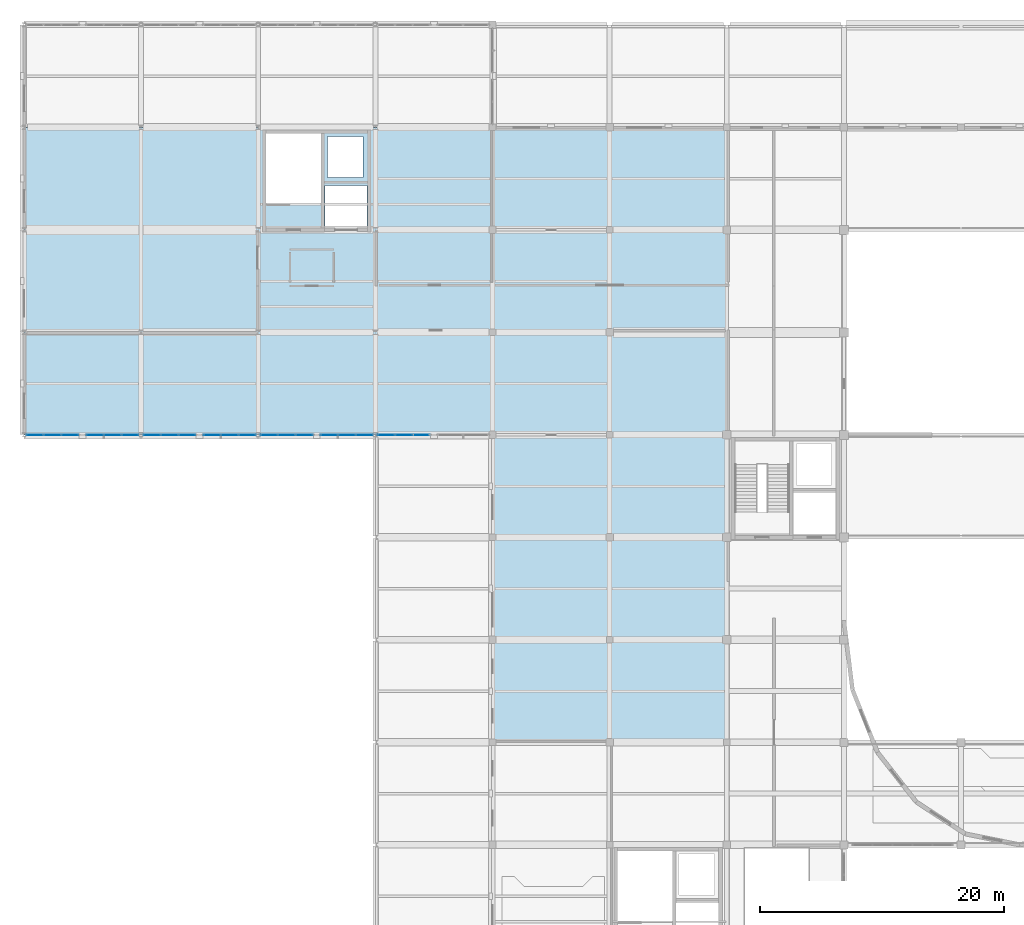
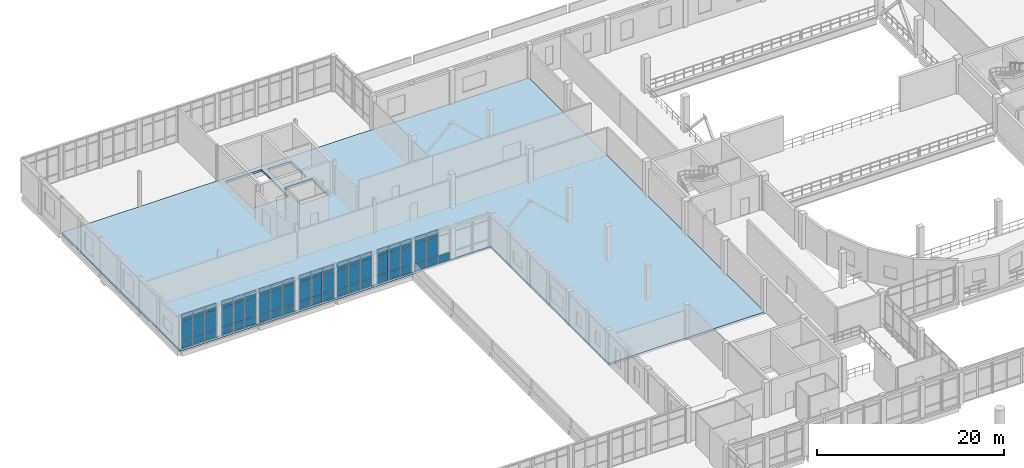
# One storey, part 67 of 88: 61 plates, 1 slab, 7 elements without a shape of their own.
"""IFC4 building model written with IfcOpenShell, lengths in metres."""

import ifcopenshell
import ifcopenshell.guid

model = None  # the IFC model being written
_history = None  # IfcOwnerHistory: only IFC2X3 demands one
_inside = {}  # id of a spatial element -> (the spatial element, [elements in it])
_under = {}  # id of a project, library or spatial element -> (it, [spatial elements below it])
_declared = {}  # id of a project -> (the project, [libraries it declares])
_typed = {}  # id of a type object -> (the type object, [elements of that type])
_made_of = {}  # id of a material, layer set ... -> (it, [elements and type objects made of it])


def new_model(schema):
    """Start an empty IFC model of exactly this schema.

    Asked for "IFC4X3", IfcOpenShell would pick the latest addendum, in which some entities
    have other attributes; the version numbers below select the first issue.
    IFC2X3 requires an IfcOwnerHistory on every rooted entity: one is made here for all.
    """
    global model, _history
    if schema == "IFC4X3":
        model = ifcopenshell.file(schema_version=(4, 3, 0, 0))
    else:
        model = ifcopenshell.file(schema=schema)
    _inside.clear()
    _under.clear()
    _declared.clear()
    _typed.clear()
    _made_of.clear()
    _history = None
    if model.schema == "IFC2X3":
        org = make("IfcOrganization", Name="unknown")
        user = make(
            "IfcPersonAndOrganization",
            ThePerson=make("IfcPerson", FamilyName="unknown"),
            TheOrganization=org,
        )
        app = make(
            "IfcApplication",
            ApplicationDeveloper=org,
            Version="unknown",
            ApplicationFullName="unknown",
            ApplicationIdentifier="unknown",
        )
        _history = make(
            "IfcOwnerHistory",
            OwningUser=user,
            OwningApplication=app,
            ChangeAction="ADDED",
            CreationDate=0,
        )
    return model


def make(cls, **values):
    """One entity of the class cls with the attributes given. An attribute that is None is left unset."""
    return model.create_entity(
        cls, **{name: value for name, value in values.items() if value is not None}
    )


def rooted(cls, **values):
    """An entity with a GlobalId (a new one), such as an element, a storey or a relation."""
    return make(cls, GlobalId=ifcopenshell.guid.new(), OwnerHistory=_history, **values)


def si_unit(unit_type, name, prefix=None):
    """IfcSIUnit, for example si_unit("LENGTHUNIT", "METRE", prefix="MILLI")."""
    return make("IfcSIUnit", UnitType=unit_type, Prefix=prefix, Name=name)


def assignment(units):
    """IfcUnitAssignment: the units of a project."""
    return None if units is None else make("IfcUnitAssignment", Units=units)


def point(xyz):
    """IfcCartesianPoint."""
    return None if xyz is None else make("IfcCartesianPoint", Coordinates=xyz)


def direction(xyz):
    """IfcDirection."""
    return None if xyz is None else make("IfcDirection", DirectionRatios=xyz)


def frame(location, z_axis=None, x_axis=None):
    """IfcAxis2Placement3D, a coordinate frame: its origin and axes. An axis left out is left unset."""
    return make(
        "IfcAxis2Placement3D",
        Location=point(location),
        Axis=direction(z_axis),
        RefDirection=direction(x_axis),
    )


def frame_2d(location, x_axis=None):
    """IfcAxis2Placement2D, a coordinate frame in the plane: its origin and x axis."""
    return make(
        "IfcAxis2Placement2D", Location=point(location), RefDirection=direction(x_axis)
    )


def origin():
    """The frame at (0, 0, 0) with its axes left unset."""
    return frame((0.0, 0.0, 0.0))


def origin_2d():
    """The frame at (0, 0) in the plane with its x axis left unset."""
    return frame_2d((0.0, 0.0))


def place(relative_to, where):
    """IfcLocalPlacement: puts the frame where relative to a parent placement (None: the world)."""
    return make(
        "IfcLocalPlacement", PlacementRelTo=relative_to, RelativePlacement=where
    )


def context(
    kind, dimensions, precision=None, world=None, true_north=None, identifier=None
):
    """IfcGeometricRepresentationContext, for example the 3D "Model" context."""
    return make(
        "IfcGeometricRepresentationContext",
        ContextIdentifier=identifier,
        ContextType=kind,
        CoordinateSpaceDimension=dimensions,
        Precision=precision,
        WorldCoordinateSystem=world,
        TrueNorth=true_north,
    )


def subcontext(parent, identifier, kind, view, scale=None):
    """IfcGeometricRepresentationSubContext, for example "Body" below "Model"."""
    return make(
        "IfcGeometricRepresentationSubContext",
        ContextIdentifier=identifier,
        ContextType=kind,
        ParentContext=parent,
        TargetScale=scale,
        TargetView=view,
    )


def project(units=None, contexts=None):
    """IfcProject with its units and contexts."""
    return rooted(
        "IfcProject",
        Name="project",
        RepresentationContexts=contexts,
        UnitsInContext=assignment(units),
    )


def spatial(cls, under=None, at=None, **own):
    """A site, building, storey or space (cls), placed at a placement, below another one or the project."""
    s = rooted(cls, ObjectPlacement=at, **own)
    if under is not None:
        _under.setdefault(under.id(), (under, []))[1].append(s)
    return s


def polyline(points):
    """IfcPolyline through the points."""
    return make("IfcPolyline", Points=[point(p) for p in points])


def profile(cls, at=None, kind="AREA", **sizes):
    """A parametric profile (cls). Its sizes go by their IFC names, for example OverallWidth=200.0."""
    return make(cls, ProfileType=kind, Position=at, **sizes)


def rectangle(**sizes):
    """IfcRectangleProfileDef."""
    return profile("IfcRectangleProfileDef", **sizes)


def outline(outer, holes=None, kind="AREA"):
    """IfcArbitraryClosedProfileDef: a profile drawn as a closed curve; with holes, ...WithVoids."""
    if holes is None:
        return make("IfcArbitraryClosedProfileDef", ProfileType=kind, OuterCurve=outer)
    return make(
        "IfcArbitraryProfileDefWithVoids",
        ProfileType=kind,
        OuterCurve=outer,
        InnerCurves=holes,
    )


def extrude(swept, where, along, depth):
    """IfcExtrudedAreaSolid: the profile swept, set in the frame where, extruded along a direction by depth."""
    return make(
        "IfcExtrudedAreaSolid",
        SweptArea=swept,
        Position=where,
        ExtrudedDirection=direction(along),
        Depth=depth,
    )


def shape(context_of_items, identifier, shape_type, items):
    """IfcShapeRepresentation: the items that make up one representation, for example the "Body"."""
    return make(
        "IfcShapeRepresentation",
        ContextOfItems=context_of_items,
        RepresentationIdentifier=identifier,
        RepresentationType=shape_type,
        Items=items,
    )


def material(Name=None, Category=None):
    """IfcMaterial."""
    return make("IfcMaterial", Name=Name, Category=Category)


def layer(
    of_material, thickness, ventilated=None, Name=None, Category=None, Priority=None
):
    """IfcMaterialLayer: one layer of a wall or slab, of a material (None: an air gap)."""
    return make(
        "IfcMaterialLayer",
        Material=of_material,
        LayerThickness=thickness,
        IsVentilated=ventilated,
        Name=Name,
        Category=Category,
        Priority=Priority,
    )


def layer_set(layers, Name=None):
    """IfcMaterialLayerSet."""
    return make("IfcMaterialLayerSet", MaterialLayers=layers, LayerSetName=Name)


def made_of(thing, what):
    """Note that an element or type object is made of a material, layer set ...; save() writes the relation."""
    if what is not None:
        _made_of.setdefault(what.id(), (what, []))[1].append(thing)
    return thing


def type_object(cls, material=None, **own):
    """A type object (cls), such as IfcWallType, which elements share."""
    return made_of(rooted(cls, **own), material)


def element(
    cls,
    number,
    at=None,
    inside=None,
    cuts=None,
    type_object=None,
    material=None,
    context=None,
    identifier="Body",
    shape_type=None,
    held_by="IfcProductDefinitionShape",
    body=None,
    shapes=None,
    **own,
):
    """One element of the class cls, such as IfcWall. Its Tag is "e" and its number.

    at: its placement. inside: the storey or other place that contains it. cuts: it is an
    opening in that element (IfcRelVoidsElement). A single representation is given by context,
    identifier, shape_type and body (its items); several are given by shapes. held_by: the class
    of the entity that holds the representations. save() writes the other relations.
    """
    e = rooted(cls, Tag="e%d" % number, ObjectPlacement=at, **own)
    if body is not None:
        shapes = [shape(context, identifier, shape_type, body)]
    if shapes is not None:
        e.Representation = make(held_by, Representations=shapes)
    if inside is not None:
        _inside.setdefault(inside.id(), (inside, []))[1].append(e)
    if cuts is not None:
        rooted(
            "IfcRelVoidsElement", RelatingBuildingElement=cuts, RelatedOpeningElement=e
        )
    if type_object is not None:
        _typed.setdefault(type_object.id(), (type_object, []))[1].append(e)
    return made_of(e, material)


def aggregate(whole, parts):
    """IfcRelAggregates: a whole, such as a stair, and the parts it consists of."""
    return rooted("IfcRelAggregates", RelatingObject=whole, RelatedObjects=parts)


def save(model, path):
    """Write the relations noted so far, then the file.

    IfcRelAggregates (storeys below a building ...), IfcRelContainedInSpatialStructure (elements
    in a storey), IfcRelDefinesByType, IfcRelAssociatesMaterial and IfcRelDeclares: one each for
    every whole, place, type object, material and project.
    """
    for whole, parts in _under.values():
        aggregate(whole, parts)
    for where, things in _inside.values():
        rooted(
            "IfcRelContainedInSpatialStructure",
            RelatedElements=things,
            RelatingStructure=where,
        )
    for kind, things in _typed.values():
        rooted("IfcRelDefinesByType", RelatedObjects=things, RelatingType=kind)
    for what, things in _made_of.values():
        rooted("IfcRelAssociatesMaterial", RelatedObjects=things, RelatingMaterial=what)
    for by, libraries in _declared.values():
        rooted("IfcRelDeclares", RelatingContext=by, RelatedDefinitions=libraries)
    model.write(path)


model = new_model("IFC4")

# Units and contexts
model_context = context("Model", 3, precision=1e-05, world=origin(), true_north=direction((0.0, 1.0)))
body_context = subcontext(model_context, "Body", "Model", "MODEL_VIEW")
ifc_project = project(units=[si_unit("LENGTHUNIT", "METRE"), si_unit("AREAUNIT", "SQUARE_METRE"), si_unit("VOLUMEUNIT", "CUBIC_METRE"), si_unit("PLANEANGLEUNIT", "RADIAN"), si_unit("MASSUNIT", "GRAM", prefix="KILO")], contexts=[model_context])

# Site, building, storey
site_placement = place(None, origin())
site = spatial("IfcSite", under=ifc_project, at=site_placement, CompositionType="ELEMENT")
building_placement = place(site_placement, origin())
building = spatial("IfcBuilding", under=site, at=building_placement, Name="Lornevale Opera House", CompositionType="ELEMENT")
storey_placement = place(building_placement, frame((0.0, 0.0, 10.199951171875)))
storey = spatial("IfcBuildingStorey", under=building, at=storey_placement, Name="L03", CompositionType="ELEMENT", Elevation=10.199951171875)

# Curtain wall, plates
ifc_material_1 = material(Name="Anodized Oxide-Green Aluminium Framing", Category="aluminium")
ifc_layer_1 = layer(ifc_material_1, 0.175048828125)
ifc_layer_set_1 = layer_set([ifc_layer_1], Name="Anodized Oxide-Green Aluminium Framing")
curtain_wall_type = type_object("IfcCurtainWallType", Name="Chamber Cloister Curtain Wall M1700", PredefinedType="NOTDEFINED", material=ifc_layer_set_1)
curtain_wall_1_placement = place(storey_placement, origin())
curtain_wall_1 = element("IfcCurtainWall", 1, at=curtain_wall_1_placement, inside=storey, type_object=curtain_wall_type, Name="Chamber Cloister Curtain Wall M1700 CW-096", PredefinedType="NOTDEFINED")
ifc_material_2 = material(Name="Triple Low-E Insulated Glazing", Category="glass")
ifc_layer_2 = layer(ifc_material_2, 0.0419921875)
ifc_layer_set_2 = layer_set([ifc_layer_2], Name="Triple Low-E Insulated Glazing")
plate_type = type_object("IfcPlateType", Name="Ceramic Fritted Bird-Safe Panel 42", PredefinedType="CURTAIN_PANEL", material=ifc_layer_set_2)
plate_1_placement = place(storey_placement, frame((8.705078125, 67.199951171875, 0.06494140625), z_axis=(0.0, 0.0, 1.0), x_axis=(-1.0, 0.0, 0.0)))
plate_1 = element("IfcPlate", 2, at=plate_1_placement, type_object=plate_type, Name="Ceramic Fritted Bird-Safe Panel 42 CW1928", PredefinedType="CURTAIN_PANEL", context=body_context, shape_type="SweptSolid", body=[
    extrude(rectangle(XDim=1.35888671875, YDim=0.0419921875, at=origin_2d()), origin(), (0.0, 0.0, 1.0), 0.952392578125),
])
plate_2_placement = place(storey_placement, frame((8.705078125, 67.199951171875, 1.08251953125), z_axis=(0.0, 0.0, 1.0), x_axis=(-1.0, 0.0, 0.0)))
plate_2 = element("IfcPlate", 3, at=plate_2_placement, type_object=plate_type, Name="Ceramic Fritted Bird-Safe Panel 42 CW1929", PredefinedType="CURTAIN_PANEL", context=body_context, shape_type="SweptSolid", body=[
    extrude(rectangle(XDim=1.35888671875, YDim=0.0419921875, at=origin_2d()), origin(), (0.0, 0.0, 1.0), 2.47509765625),
])
plate_3_placement = place(storey_placement, frame((8.705078125, 67.199951171875, 3.62255859375), z_axis=(0.0, 0.0, 1.0), x_axis=(-1.0, 0.0, 0.0)))
plate_3 = element("IfcPlate", 4, at=plate_3_placement, type_object=plate_type, Name="Ceramic Fritted Bird-Safe Panel 42 CW1930", PredefinedType="CURTAIN_PANEL", context=body_context, shape_type="SweptSolid", body=[
    extrude(rectangle(XDim=1.35888671875, YDim=0.0419921875, at=origin_2d()), origin(), (0.0, 0.0, 1.0), 0.8525390625),
])
plate_4_placement = place(storey_placement, frame((7.264892578125, 67.199951171875, 0.06494140625), z_axis=(0.0, 0.0, 1.0), x_axis=(-1.0, 0.0, 0.0)))
plate_4 = element("IfcPlate", 5, at=plate_4_placement, type_object=plate_type, Name="Ceramic Fritted Bird-Safe Panel 42 CW1935", PredefinedType="CURTAIN_PANEL", context=body_context, shape_type="SweptSolid", body=[
    extrude(rectangle(XDim=1.3916015625, YDim=0.0419921875, at=origin_2d()), origin(), (0.0, 0.0, 1.0), 0.952392578125),
])
plate_5_placement = place(storey_placement, frame((7.264892578125, 67.199951171875, 1.08251953125), z_axis=(0.0, 0.0, 1.0), x_axis=(-1.0, 0.0, 0.0)))
plate_5 = element("IfcPlate", 6, at=plate_5_placement, type_object=plate_type, Name="Ceramic Fritted Bird-Safe Panel 42 CW1936", PredefinedType="CURTAIN_PANEL", context=body_context, shape_type="SweptSolid", body=[
    extrude(rectangle(XDim=1.3916015625, YDim=0.0419921875, at=origin_2d()), origin(), (0.0, 0.0, 1.0), 2.47509765625),
])
plate_6_placement = place(storey_placement, frame((7.264892578125, 67.199951171875, 3.62255859375), z_axis=(0.0, 0.0, 1.0), x_axis=(-1.0, 0.0, 0.0)))
plate_6 = element("IfcPlate", 7, at=plate_6_placement, type_object=plate_type, Name="Ceramic Fritted Bird-Safe Panel 42 CW1937", PredefinedType="CURTAIN_PANEL", context=body_context, shape_type="SweptSolid", body=[
    extrude(rectangle(XDim=1.3916015625, YDim=0.0419921875, at=origin_2d()), origin(), (0.0, 0.0, 1.0), 0.8525390625),
])
plate_7_placement = place(storey_placement, frame((5.824462890625, 67.199951171875, 0.06494140625), z_axis=(0.0, 0.0, 1.0), x_axis=(-1.0, 0.0, 0.0)))
plate_7 = element("IfcPlate", 8, at=plate_7_placement, type_object=plate_type, Name="Ceramic Fritted Bird-Safe Panel 42 CW1942", PredefinedType="CURTAIN_PANEL", context=body_context, shape_type="SweptSolid", body=[
    extrude(rectangle(XDim=1.35888671875, YDim=0.0419921875, at=origin_2d()), origin(), (0.0, 0.0, 1.0), 0.952392578125),
])
plate_8_placement = place(storey_placement, frame((5.824462890625, 67.199951171875, 1.08251953125), z_axis=(0.0, 0.0, 1.0), x_axis=(-1.0, 0.0, 0.0)))
plate_8 = element("IfcPlate", 9, at=plate_8_placement, type_object=plate_type, Name="Ceramic Fritted Bird-Safe Panel 42 CW1943", PredefinedType="CURTAIN_PANEL", context=body_context, shape_type="SweptSolid", body=[
    extrude(rectangle(XDim=1.35888671875, YDim=0.0419921875, at=origin_2d()), origin(), (0.0, 0.0, 1.0), 2.47509765625),
])
plate_9_placement = place(storey_placement, frame((5.824462890625, 67.199951171875, 3.62255859375), z_axis=(0.0, 0.0, 1.0), x_axis=(-1.0, 0.0, 0.0)))
plate_9 = element("IfcPlate", 10, at=plate_9_placement, type_object=plate_type, Name="Ceramic Fritted Bird-Safe Panel 42 CW1944", PredefinedType="CURTAIN_PANEL", context=body_context, shape_type="SweptSolid", body=[
    extrude(rectangle(XDim=1.35888671875, YDim=0.0419921875, at=origin_2d()), origin(), (0.0, 0.0, 1.0), 0.8525390625),
])
aggregate(curtain_wall_1, [plate_1, plate_2, plate_3, plate_4, plate_5, plate_6, plate_7, plate_8, plate_9])

curtain_wall_2_placement = place(storey_placement, origin())
curtain_wall_2 = element("IfcCurtainWall", 11, at=curtain_wall_2_placement, inside=storey, type_object=curtain_wall_type, Name="Chamber Cloister Curtain Wall M1700 CW-097", PredefinedType="NOTDEFINED")
plate_10_placement = place(storey_placement, frame((3.775390625, 67.199951171875, 0.06494140625), z_axis=(0.0, 0.0, 1.0), x_axis=(-1.0, 0.0, 0.0)))
plate_10 = element("IfcPlate", 12, at=plate_10_placement, type_object=plate_type, Name="Ceramic Fritted Bird-Safe Panel 42 CW1953", PredefinedType="CURTAIN_PANEL", context=body_context, shape_type="SweptSolid", body=[
    extrude(rectangle(XDim=1.35888671875, YDim=0.0419921875, at=origin_2d()), origin(), (0.0, 0.0, 1.0), 0.952392578125),
])
plate_11_placement = place(storey_placement, frame((3.775390625, 67.199951171875, 1.08251953125), z_axis=(0.0, 0.0, 1.0), x_axis=(-1.0, 0.0, 0.0)))
plate_11 = element("IfcPlate", 13, at=plate_11_placement, type_object=plate_type, Name="Ceramic Fritted Bird-Safe Panel 42 CW1954", PredefinedType="CURTAIN_PANEL", context=body_context, shape_type="SweptSolid", body=[
    extrude(rectangle(XDim=1.35888671875, YDim=0.0419921875, at=origin_2d()), origin(), (0.0, 0.0, 1.0), 2.47509765625),
])
plate_12_placement = place(storey_placement, frame((3.775390625, 67.199951171875, 3.62255859375), z_axis=(0.0, 0.0, 1.0), x_axis=(-1.0, 0.0, 0.0)))
plate_12 = element("IfcPlate", 14, at=plate_12_placement, type_object=plate_type, Name="Ceramic Fritted Bird-Safe Panel 42 CW1955", PredefinedType="CURTAIN_PANEL", context=body_context, shape_type="SweptSolid", body=[
    extrude(rectangle(XDim=1.35888671875, YDim=0.0419921875, at=origin_2d()), origin(), (0.0, 0.0, 1.0), 0.8525390625),
])
plate_13_placement = place(storey_placement, frame((2.335205078125, 67.199951171875, 0.06494140625), z_axis=(0.0, 0.0, 1.0), x_axis=(-1.0, 0.0, 0.0)))
plate_13 = element("IfcPlate", 15, at=plate_13_placement, type_object=plate_type, Name="Ceramic Fritted Bird-Safe Panel 42 CW1960", PredefinedType="CURTAIN_PANEL", context=body_context, shape_type="SweptSolid", body=[
    extrude(rectangle(XDim=1.3916015625, YDim=0.0419921875, at=origin_2d()), origin(), (0.0, 0.0, 1.0), 0.952392578125),
])
plate_14_placement = place(storey_placement, frame((2.335205078125, 67.199951171875, 1.08251953125), z_axis=(0.0, 0.0, 1.0), x_axis=(-1.0, 0.0, 0.0)))
plate_14 = element("IfcPlate", 16, at=plate_14_placement, type_object=plate_type, Name="Ceramic Fritted Bird-Safe Panel 42 CW1961", PredefinedType="CURTAIN_PANEL", context=body_context, shape_type="SweptSolid", body=[
    extrude(rectangle(XDim=1.3916015625, YDim=0.0419921875, at=origin_2d()), origin(), (0.0, 0.0, 1.0), 2.47509765625),
])
plate_15_placement = place(storey_placement, frame((2.335205078125, 67.199951171875, 3.62255859375), z_axis=(0.0, 0.0, 1.0), x_axis=(-1.0, 0.0, 0.0)))
plate_15 = element("IfcPlate", 17, at=plate_15_placement, type_object=plate_type, Name="Ceramic Fritted Bird-Safe Panel 42 CW1962", PredefinedType="CURTAIN_PANEL", context=body_context, shape_type="SweptSolid", body=[
    extrude(rectangle(XDim=1.3916015625, YDim=0.0419921875, at=origin_2d()), origin(), (0.0, 0.0, 1.0), 0.8525390625),
])
plate_16_placement = place(storey_placement, frame((0.89501953125, 67.199951171875, 0.06494140625), z_axis=(0.0, 0.0, 1.0), x_axis=(-1.0, 0.0, 0.0)))
plate_16 = element("IfcPlate", 18, at=plate_16_placement, type_object=plate_type, Name="Ceramic Fritted Bird-Safe Panel 42 CW1967", PredefinedType="CURTAIN_PANEL", context=body_context, shape_type="SweptSolid", body=[
    extrude(rectangle(XDim=1.35888671875, YDim=0.0419921875, at=origin_2d()), origin(), (0.0, 0.0, 1.0), 0.952392578125),
])
plate_17_placement = place(storey_placement, frame((0.89501953125, 67.199951171875, 1.08251953125), z_axis=(0.0, 0.0, 1.0), x_axis=(-1.0, 0.0, 0.0)))
plate_17 = element("IfcPlate", 19, at=plate_17_placement, type_object=plate_type, Name="Ceramic Fritted Bird-Safe Panel 42 CW1968", PredefinedType="CURTAIN_PANEL", context=body_context, shape_type="SweptSolid", body=[
    extrude(rectangle(XDim=1.35888671875, YDim=0.0419921875, at=origin_2d()), origin(), (0.0, 0.0, 1.0), 2.47509765625),
])
plate_18_placement = place(storey_placement, frame((0.89501953125, 67.199951171875, 3.62255859375), z_axis=(0.0, 0.0, 1.0), x_axis=(-1.0, 0.0, 0.0)))
plate_18 = element("IfcPlate", 20, at=plate_18_placement, type_object=plate_type, Name="Ceramic Fritted Bird-Safe Panel 42 CW1969", PredefinedType="CURTAIN_PANEL", context=body_context, shape_type="SweptSolid", body=[
    extrude(rectangle(XDim=1.35888671875, YDim=0.0419921875, at=origin_2d()), origin(), (0.0, 0.0, 1.0), 0.8525390625),
])
aggregate(curtain_wall_2, [plate_10, plate_11, plate_12, plate_13, plate_14, plate_15, plate_16, plate_17, plate_18])

curtain_wall_3_placement = place(storey_placement, origin())
curtain_wall_3 = element("IfcCurtainWall", 21, at=curtain_wall_3_placement, inside=storey, type_object=curtain_wall_type, Name="Chamber Cloister Curtain Wall M1700 CW-104", PredefinedType="NOTDEFINED")
plate_19_placement = place(storey_placement, frame((18.304931640625, 67.199951171875, 0.06494140625), z_axis=(0.0, 0.0, 1.0), x_axis=(-1.0, 0.0, 0.0)))
plate_19 = element("IfcPlate", 22, at=plate_19_placement, type_object=plate_type, Name="Ceramic Fritted Bird-Safe Panel 42 CW2128", PredefinedType="CURTAIN_PANEL", context=body_context, shape_type="SweptSolid", body=[
    extrude(rectangle(XDim=1.35888671875, YDim=0.0419921875, at=origin_2d()), origin(), (0.0, 0.0, 1.0), 0.952392578125),
])
plate_20_placement = place(storey_placement, frame((18.304931640625, 67.199951171875, 1.08251953125), z_axis=(0.0, 0.0, 1.0), x_axis=(-1.0, 0.0, 0.0)))
plate_20 = element("IfcPlate", 23, at=plate_20_placement, type_object=plate_type, Name="Ceramic Fritted Bird-Safe Panel 42 CW2129", PredefinedType="CURTAIN_PANEL", context=body_context, shape_type="SweptSolid", body=[
    extrude(rectangle(XDim=1.35888671875, YDim=0.0419921875, at=origin_2d()), origin(), (0.0, 0.0, 1.0), 2.47509765625),
])
plate_21_placement = place(storey_placement, frame((18.304931640625, 67.199951171875, 3.62255859375), z_axis=(0.0, 0.0, 1.0), x_axis=(-1.0, 0.0, 0.0)))
plate_21 = element("IfcPlate", 24, at=plate_21_placement, type_object=plate_type, Name="Ceramic Fritted Bird-Safe Panel 42 CW2130", PredefinedType="CURTAIN_PANEL", context=body_context, shape_type="SweptSolid", body=[
    extrude(rectangle(XDim=1.35888671875, YDim=0.0419921875, at=origin_2d()), origin(), (0.0, 0.0, 1.0), 0.8525390625),
])
plate_22_placement = place(storey_placement, frame((16.86474609375, 67.199951171875, 0.06494140625), z_axis=(0.0, 0.0, 1.0), x_axis=(-1.0, 0.0, 0.0)))
plate_22 = element("IfcPlate", 25, at=plate_22_placement, type_object=plate_type, Name="Ceramic Fritted Bird-Safe Panel 42 CW2135", PredefinedType="CURTAIN_PANEL", context=body_context, shape_type="SweptSolid", body=[
    extrude(rectangle(XDim=1.3916015625, YDim=0.0419921875, at=origin_2d()), origin(), (0.0, 0.0, 1.0), 0.952392578125),
])
plate_23_placement = place(storey_placement, frame((16.86474609375, 67.199951171875, 1.08251953125), z_axis=(0.0, 0.0, 1.0), x_axis=(-1.0, 0.0, 0.0)))
plate_23 = element("IfcPlate", 26, at=plate_23_placement, type_object=plate_type, Name="Ceramic Fritted Bird-Safe Panel 42 CW2136", PredefinedType="CURTAIN_PANEL", context=body_context, shape_type="SweptSolid", body=[
    extrude(rectangle(XDim=1.3916015625, YDim=0.0419921875, at=origin_2d()), origin(), (0.0, 0.0, 1.0), 2.47509765625),
])
plate_24_placement = place(storey_placement, frame((16.86474609375, 67.199951171875, 3.62255859375), z_axis=(0.0, 0.0, 1.0), x_axis=(-1.0, 0.0, 0.0)))
plate_24 = element("IfcPlate", 27, at=plate_24_placement, type_object=plate_type, Name="Ceramic Fritted Bird-Safe Panel 42 CW2137", PredefinedType="CURTAIN_PANEL", context=body_context, shape_type="SweptSolid", body=[
    extrude(rectangle(XDim=1.3916015625, YDim=0.0419921875, at=origin_2d()), origin(), (0.0, 0.0, 1.0), 0.8525390625),
])
plate_25_placement = place(storey_placement, frame((15.424560546875, 67.199951171875, 0.06494140625), z_axis=(0.0, 0.0, 1.0), x_axis=(-1.0, 0.0, 0.0)))
plate_25 = element("IfcPlate", 28, at=plate_25_placement, type_object=plate_type, Name="Ceramic Fritted Bird-Safe Panel 42 CW2142", PredefinedType="CURTAIN_PANEL", context=body_context, shape_type="SweptSolid", body=[
    extrude(rectangle(XDim=1.35888671875, YDim=0.0419921875, at=origin_2d()), origin(), (0.0, 0.0, 1.0), 0.952392578125),
])
plate_26_placement = place(storey_placement, frame((15.424560546875, 67.199951171875, 1.08251953125), z_axis=(0.0, 0.0, 1.0), x_axis=(-1.0, 0.0, 0.0)))
plate_26 = element("IfcPlate", 29, at=plate_26_placement, type_object=plate_type, Name="Ceramic Fritted Bird-Safe Panel 42 CW2143", PredefinedType="CURTAIN_PANEL", context=body_context, shape_type="SweptSolid", body=[
    extrude(rectangle(XDim=1.35888671875, YDim=0.0419921875, at=origin_2d()), origin(), (0.0, 0.0, 1.0), 2.47509765625),
])
plate_27_placement = place(storey_placement, frame((15.424560546875, 67.199951171875, 3.62255859375), z_axis=(0.0, 0.0, 1.0), x_axis=(-1.0, 0.0, 0.0)))
plate_27 = element("IfcPlate", 30, at=plate_27_placement, type_object=plate_type, Name="Ceramic Fritted Bird-Safe Panel 42 CW2144", PredefinedType="CURTAIN_PANEL", context=body_context, shape_type="SweptSolid", body=[
    extrude(rectangle(XDim=1.35888671875, YDim=0.0419921875, at=origin_2d()), origin(), (0.0, 0.0, 1.0), 0.8525390625),
])
aggregate(curtain_wall_3, [plate_19, plate_20, plate_21, plate_22, plate_23, plate_24, plate_25, plate_26, plate_27])

curtain_wall_4_placement = place(storey_placement, origin())
curtain_wall_4 = element("IfcCurtainWall", 31, at=curtain_wall_4_placement, inside=storey, type_object=curtain_wall_type, Name="Chamber Cloister Curtain Wall M1700 CW-105", PredefinedType="NOTDEFINED")
plate_28_placement = place(storey_placement, frame((13.37548828125, 67.199951171875, 0.06494140625), z_axis=(0.0, 0.0, 1.0), x_axis=(-1.0, 0.0, 0.0)))
plate_28 = element("IfcPlate", 32, at=plate_28_placement, type_object=plate_type, Name="Ceramic Fritted Bird-Safe Panel 42 CW2153", PredefinedType="CURTAIN_PANEL", context=body_context, shape_type="SweptSolid", body=[
    extrude(rectangle(XDim=1.35888671875, YDim=0.0419921875, at=origin_2d()), origin(), (0.0, 0.0, 1.0), 0.952392578125),
])
plate_29_placement = place(storey_placement, frame((13.37548828125, 67.199951171875, 1.08251953125), z_axis=(0.0, 0.0, 1.0), x_axis=(-1.0, 0.0, 0.0)))
plate_29 = element("IfcPlate", 33, at=plate_29_placement, type_object=plate_type, Name="Ceramic Fritted Bird-Safe Panel 42 CW2154", PredefinedType="CURTAIN_PANEL", context=body_context, shape_type="SweptSolid", body=[
    extrude(rectangle(XDim=1.35888671875, YDim=0.0419921875, at=origin_2d()), origin(), (0.0, 0.0, 1.0), 2.47509765625),
])
plate_30_placement = place(storey_placement, frame((13.37548828125, 67.199951171875, 3.62255859375), z_axis=(0.0, 0.0, 1.0), x_axis=(-1.0, 0.0, 0.0)))
plate_30 = element("IfcPlate", 34, at=plate_30_placement, type_object=plate_type, Name="Ceramic Fritted Bird-Safe Panel 42 CW2155", PredefinedType="CURTAIN_PANEL", context=body_context, shape_type="SweptSolid", body=[
    extrude(rectangle(XDim=1.35888671875, YDim=0.0419921875, at=origin_2d()), origin(), (0.0, 0.0, 1.0), 0.8525390625),
])
plate_31_placement = place(storey_placement, frame((11.935302734375, 67.199951171875, 0.06494140625), z_axis=(0.0, 0.0, 1.0), x_axis=(-1.0, 0.0, 0.0)))
plate_31 = element("IfcPlate", 35, at=plate_31_placement, type_object=plate_type, Name="Ceramic Fritted Bird-Safe Panel 42 CW2160", PredefinedType="CURTAIN_PANEL", context=body_context, shape_type="SweptSolid", body=[
    extrude(rectangle(XDim=1.3916015625, YDim=0.0419921875, at=origin_2d()), origin(), (0.0, 0.0, 1.0), 0.952392578125),
])
plate_32_placement = place(storey_placement, frame((11.935302734375, 67.199951171875, 1.08251953125), z_axis=(0.0, 0.0, 1.0), x_axis=(-1.0, 0.0, 0.0)))
plate_32 = element("IfcPlate", 36, at=plate_32_placement, type_object=plate_type, Name="Ceramic Fritted Bird-Safe Panel 42 CW2161", PredefinedType="CURTAIN_PANEL", context=body_context, shape_type="SweptSolid", body=[
    extrude(rectangle(XDim=1.3916015625, YDim=0.0419921875, at=origin_2d()), origin(), (0.0, 0.0, 1.0), 2.47509765625),
])
plate_33_placement = place(storey_placement, frame((11.935302734375, 67.199951171875, 3.62255859375), z_axis=(0.0, 0.0, 1.0), x_axis=(-1.0, 0.0, 0.0)))
plate_33 = element("IfcPlate", 37, at=plate_33_placement, type_object=plate_type, Name="Ceramic Fritted Bird-Safe Panel 42 CW2162", PredefinedType="CURTAIN_PANEL", context=body_context, shape_type="SweptSolid", body=[
    extrude(rectangle(XDim=1.3916015625, YDim=0.0419921875, at=origin_2d()), origin(), (0.0, 0.0, 1.0), 0.8525390625),
])
plate_34_placement = place(storey_placement, frame((10.4951171875, 67.199951171875, 0.06494140625), z_axis=(0.0, 0.0, 1.0), x_axis=(-1.0, 0.0, 0.0)))
plate_34 = element("IfcPlate", 38, at=plate_34_placement, type_object=plate_type, Name="Ceramic Fritted Bird-Safe Panel 42 CW2167", PredefinedType="CURTAIN_PANEL", context=body_context, shape_type="SweptSolid", body=[
    extrude(rectangle(XDim=1.35888671875, YDim=0.0419921875, at=origin_2d()), origin(), (0.0, 0.0, 1.0), 0.952392578125),
])
plate_35_placement = place(storey_placement, frame((10.4951171875, 67.199951171875, 1.08251953125), z_axis=(0.0, 0.0, 1.0), x_axis=(-1.0, 0.0, 0.0)))
plate_35 = element("IfcPlate", 39, at=plate_35_placement, type_object=plate_type, Name="Ceramic Fritted Bird-Safe Panel 42 CW2168", PredefinedType="CURTAIN_PANEL", context=body_context, shape_type="SweptSolid", body=[
    extrude(rectangle(XDim=1.35888671875, YDim=0.0419921875, at=origin_2d()), origin(), (0.0, 0.0, 1.0), 2.47509765625),
])
plate_36_placement = place(storey_placement, frame((10.4951171875, 67.199951171875, 3.62255859375), z_axis=(0.0, 0.0, 1.0), x_axis=(-1.0, 0.0, 0.0)))
plate_36 = element("IfcPlate", 40, at=plate_36_placement, type_object=plate_type, Name="Ceramic Fritted Bird-Safe Panel 42 CW2169", PredefinedType="CURTAIN_PANEL", context=body_context, shape_type="SweptSolid", body=[
    extrude(rectangle(XDim=1.35888671875, YDim=0.0419921875, at=origin_2d()), origin(), (0.0, 0.0, 1.0), 0.8525390625),
])
aggregate(curtain_wall_4, [plate_28, plate_29, plate_30, plate_31, plate_32, plate_33, plate_34, plate_35, plate_36])

curtain_wall_5_placement = place(storey_placement, origin())
curtain_wall_5 = element("IfcCurtainWall", 41, at=curtain_wall_5_placement, inside=storey, type_object=curtain_wall_type, Name="Chamber Cloister Curtain Wall M1700 CW-112", PredefinedType="NOTDEFINED")
plate_37_placement = place(storey_placement, frame((27.905029296875, 67.199951171875, 0.06494140625), z_axis=(0.0, 0.0, 1.0), x_axis=(-1.0, 0.0, 0.0)))
plate_37 = element("IfcPlate", 42, at=plate_37_placement, type_object=plate_type, Name="Ceramic Fritted Bird-Safe Panel 42 CW2328", PredefinedType="CURTAIN_PANEL", context=body_context, shape_type="SweptSolid", body=[
    extrude(rectangle(XDim=1.35888671875, YDim=0.0419921875, at=origin_2d()), origin(), (0.0, 0.0, 1.0), 0.952392578125),
])
plate_38_placement = place(storey_placement, frame((27.905029296875, 67.199951171875, 1.08251953125), z_axis=(0.0, 0.0, 1.0), x_axis=(-1.0, 0.0, 0.0)))
plate_38 = element("IfcPlate", 43, at=plate_38_placement, type_object=plate_type, Name="Ceramic Fritted Bird-Safe Panel 42 CW2329", PredefinedType="CURTAIN_PANEL", context=body_context, shape_type="SweptSolid", body=[
    extrude(rectangle(XDim=1.35888671875, YDim=0.0419921875, at=origin_2d()), origin(), (0.0, 0.0, 1.0), 2.47509765625),
])
plate_39_placement = place(storey_placement, frame((27.905029296875, 67.199951171875, 3.62255859375), z_axis=(0.0, 0.0, 1.0), x_axis=(-1.0, 0.0, 0.0)))
plate_39 = element("IfcPlate", 44, at=plate_39_placement, type_object=plate_type, Name="Ceramic Fritted Bird-Safe Panel 42 CW2330", PredefinedType="CURTAIN_PANEL", context=body_context, shape_type="SweptSolid", body=[
    extrude(rectangle(XDim=1.35888671875, YDim=0.0419921875, at=origin_2d()), origin(), (0.0, 0.0, 1.0), 0.8525390625),
])
plate_40_placement = place(storey_placement, frame((26.46484375, 67.199951171875, 0.06494140625), z_axis=(0.0, 0.0, 1.0), x_axis=(-1.0, 0.0, 0.0)))
plate_40 = element("IfcPlate", 45, at=plate_40_placement, type_object=plate_type, Name="Ceramic Fritted Bird-Safe Panel 42 CW2335", PredefinedType="CURTAIN_PANEL", context=body_context, shape_type="SweptSolid", body=[
    extrude(rectangle(XDim=1.3916015625, YDim=0.0419921875, at=origin_2d()), origin(), (0.0, 0.0, 1.0), 0.952392578125),
])
plate_41_placement = place(storey_placement, frame((26.46484375, 67.199951171875, 1.08251953125), z_axis=(0.0, 0.0, 1.0), x_axis=(-1.0, 0.0, 0.0)))
plate_41 = element("IfcPlate", 46, at=plate_41_placement, type_object=plate_type, Name="Ceramic Fritted Bird-Safe Panel 42 CW2336", PredefinedType="CURTAIN_PANEL", context=body_context, shape_type="SweptSolid", body=[
    extrude(rectangle(XDim=1.3916015625, YDim=0.0419921875, at=origin_2d()), origin(), (0.0, 0.0, 1.0), 2.47509765625),
])
plate_42_placement = place(storey_placement, frame((26.46484375, 67.199951171875, 3.62255859375), z_axis=(0.0, 0.0, 1.0), x_axis=(-1.0, 0.0, 0.0)))
plate_42 = element("IfcPlate", 47, at=plate_42_placement, type_object=plate_type, Name="Ceramic Fritted Bird-Safe Panel 42 CW2337", PredefinedType="CURTAIN_PANEL", context=body_context, shape_type="SweptSolid", body=[
    extrude(rectangle(XDim=1.3916015625, YDim=0.0419921875, at=origin_2d()), origin(), (0.0, 0.0, 1.0), 0.8525390625),
])
plate_43_placement = place(storey_placement, frame((25.0244140625, 67.199951171875, 0.06494140625), z_axis=(0.0, 0.0, 1.0), x_axis=(-1.0, 0.0, 0.0)))
plate_43 = element("IfcPlate", 48, at=plate_43_placement, type_object=plate_type, Name="Ceramic Fritted Bird-Safe Panel 42 CW2342", PredefinedType="CURTAIN_PANEL", context=body_context, shape_type="SweptSolid", body=[
    extrude(rectangle(XDim=1.35888671875, YDim=0.0419921875, at=origin_2d()), origin(), (0.0, 0.0, 1.0), 0.952392578125),
])
plate_44_placement = place(storey_placement, frame((25.0244140625, 67.199951171875, 1.08251953125), z_axis=(0.0, 0.0, 1.0), x_axis=(-1.0, 0.0, 0.0)))
plate_44 = element("IfcPlate", 49, at=plate_44_placement, type_object=plate_type, Name="Ceramic Fritted Bird-Safe Panel 42 CW2343", PredefinedType="CURTAIN_PANEL", context=body_context, shape_type="SweptSolid", body=[
    extrude(rectangle(XDim=1.35888671875, YDim=0.0419921875, at=origin_2d()), origin(), (0.0, 0.0, 1.0), 2.47509765625),
])
plate_45_placement = place(storey_placement, frame((25.0244140625, 67.199951171875, 3.62255859375), z_axis=(0.0, 0.0, 1.0), x_axis=(-1.0, 0.0, 0.0)))
plate_45 = element("IfcPlate", 50, at=plate_45_placement, type_object=plate_type, Name="Ceramic Fritted Bird-Safe Panel 42 CW2344", PredefinedType="CURTAIN_PANEL", context=body_context, shape_type="SweptSolid", body=[
    extrude(rectangle(XDim=1.35888671875, YDim=0.0419921875, at=origin_2d()), origin(), (0.0, 0.0, 1.0), 0.8525390625),
])
aggregate(curtain_wall_5, [plate_37, plate_38, plate_39, plate_40, plate_41, plate_42, plate_43, plate_44, plate_45])

curtain_wall_6_placement = place(storey_placement, origin())
curtain_wall_6 = element("IfcCurtainWall", 51, at=curtain_wall_6_placement, inside=storey, type_object=curtain_wall_type, Name="Chamber Cloister Curtain Wall M1700 CW-113", PredefinedType="NOTDEFINED")
plate_46_placement = place(storey_placement, frame((22.9755859375, 67.199951171875, 0.06494140625), z_axis=(0.0, 0.0, 1.0), x_axis=(-1.0, 0.0, 0.0)))
plate_46 = element("IfcPlate", 52, at=plate_46_placement, type_object=plate_type, Name="Ceramic Fritted Bird-Safe Panel 42 CW2353", PredefinedType="CURTAIN_PANEL", context=body_context, shape_type="SweptSolid", body=[
    extrude(rectangle(XDim=1.35888671875, YDim=0.0419921875, at=origin_2d()), origin(), (0.0, 0.0, 1.0), 0.952392578125),
])
plate_47_placement = place(storey_placement, frame((22.9755859375, 67.199951171875, 1.08251953125), z_axis=(0.0, 0.0, 1.0), x_axis=(-1.0, 0.0, 0.0)))
plate_47 = element("IfcPlate", 53, at=plate_47_placement, type_object=plate_type, Name="Ceramic Fritted Bird-Safe Panel 42 CW2354", PredefinedType="CURTAIN_PANEL", context=body_context, shape_type="SweptSolid", body=[
    extrude(rectangle(XDim=1.35888671875, YDim=0.0419921875, at=origin_2d()), origin(), (0.0, 0.0, 1.0), 2.47509765625),
])
plate_48_placement = place(storey_placement, frame((22.9755859375, 67.199951171875, 3.62255859375), z_axis=(0.0, 0.0, 1.0), x_axis=(-1.0, 0.0, 0.0)))
plate_48 = element("IfcPlate", 54, at=plate_48_placement, type_object=plate_type, Name="Ceramic Fritted Bird-Safe Panel 42 CW2355", PredefinedType="CURTAIN_PANEL", context=body_context, shape_type="SweptSolid", body=[
    extrude(rectangle(XDim=1.35888671875, YDim=0.0419921875, at=origin_2d()), origin(), (0.0, 0.0, 1.0), 0.8525390625),
])
plate_49_placement = place(storey_placement, frame((21.53515625, 67.199951171875, 0.06494140625), z_axis=(0.0, 0.0, 1.0), x_axis=(-1.0, 0.0, 0.0)))
plate_49 = element("IfcPlate", 55, at=plate_49_placement, type_object=plate_type, Name="Ceramic Fritted Bird-Safe Panel 42 CW2360", PredefinedType="CURTAIN_PANEL", context=body_context, shape_type="SweptSolid", body=[
    extrude(rectangle(XDim=1.3916015625, YDim=0.0419921875, at=origin_2d()), origin(), (0.0, 0.0, 1.0), 0.952392578125),
])
plate_50_placement = place(storey_placement, frame((21.53515625, 67.199951171875, 1.08251953125), z_axis=(0.0, 0.0, 1.0), x_axis=(-1.0, 0.0, 0.0)))
plate_50 = element("IfcPlate", 56, at=plate_50_placement, type_object=plate_type, Name="Ceramic Fritted Bird-Safe Panel 42 CW2361", PredefinedType="CURTAIN_PANEL", context=body_context, shape_type="SweptSolid", body=[
    extrude(rectangle(XDim=1.3916015625, YDim=0.0419921875, at=origin_2d()), origin(), (0.0, 0.0, 1.0), 2.47509765625),
])
plate_51_placement = place(storey_placement, frame((21.53515625, 67.199951171875, 3.62255859375), z_axis=(0.0, 0.0, 1.0), x_axis=(-1.0, 0.0, 0.0)))
plate_51 = element("IfcPlate", 57, at=plate_51_placement, type_object=plate_type, Name="Ceramic Fritted Bird-Safe Panel 42 CW2362", PredefinedType="CURTAIN_PANEL", context=body_context, shape_type="SweptSolid", body=[
    extrude(rectangle(XDim=1.3916015625, YDim=0.0419921875, at=origin_2d()), origin(), (0.0, 0.0, 1.0), 0.8525390625),
])
plate_52_placement = place(storey_placement, frame((20.094970703125, 67.199951171875, 0.06494140625), z_axis=(0.0, 0.0, 1.0), x_axis=(-1.0, 0.0, 0.0)))
plate_52 = element("IfcPlate", 58, at=plate_52_placement, type_object=plate_type, Name="Ceramic Fritted Bird-Safe Panel 42 CW2367", PredefinedType="CURTAIN_PANEL", context=body_context, shape_type="SweptSolid", body=[
    extrude(rectangle(XDim=1.35888671875, YDim=0.0419921875, at=origin_2d()), origin(), (0.0, 0.0, 1.0), 0.952392578125),
])
plate_53_placement = place(storey_placement, frame((20.094970703125, 67.199951171875, 1.08251953125), z_axis=(0.0, 0.0, 1.0), x_axis=(-1.0, 0.0, 0.0)))
plate_53 = element("IfcPlate", 59, at=plate_53_placement, type_object=plate_type, Name="Ceramic Fritted Bird-Safe Panel 42 CW2368", PredefinedType="CURTAIN_PANEL", context=body_context, shape_type="SweptSolid", body=[
    extrude(rectangle(XDim=1.35888671875, YDim=0.0419921875, at=origin_2d()), origin(), (0.0, 0.0, 1.0), 2.47509765625),
])
plate_54_placement = place(storey_placement, frame((20.094970703125, 67.199951171875, 3.62255859375), z_axis=(0.0, 0.0, 1.0), x_axis=(-1.0, 0.0, 0.0)))
plate_54 = element("IfcPlate", 60, at=plate_54_placement, type_object=plate_type, Name="Ceramic Fritted Bird-Safe Panel 42 CW2369", PredefinedType="CURTAIN_PANEL", context=body_context, shape_type="SweptSolid", body=[
    extrude(rectangle(XDim=1.35888671875, YDim=0.0419921875, at=origin_2d()), origin(), (0.0, 0.0, 1.0), 0.8525390625),
])
aggregate(curtain_wall_6, [plate_46, plate_47, plate_48, plate_49, plate_50, plate_51, plate_52, plate_53, plate_54])

curtain_wall_7_placement = place(storey_placement, origin())
curtain_wall_7 = element("IfcCurtainWall", 61, at=curtain_wall_7_placement, inside=storey, type_object=curtain_wall_type, Name="Chamber Cloister Curtain Wall M1700 CW-125", PredefinedType="NOTDEFINED")
plate_55_placement = place(storey_placement, frame((32.575439453125, 67.199951171875, 0.06494140625), z_axis=(0.0, 0.0, 1.0), x_axis=(-1.0, 0.0, 0.0)))
plate_55 = element("IfcPlate", 62, at=plate_55_placement, type_object=plate_type, Name="Ceramic Fritted Bird-Safe Panel 42 CW2597", PredefinedType="CURTAIN_PANEL", context=body_context, shape_type="SweptSolid", body=[
    extrude(rectangle(XDim=1.35888671875, YDim=0.0419921875, at=origin_2d()), origin(), (0.0, 0.0, 1.0), 0.952392578125),
])
plate_56_placement = place(storey_placement, frame((31.13525390625, 67.199951171875, 0.06494140625), z_axis=(0.0, 0.0, 1.0), x_axis=(-1.0, 0.0, 0.0)))
plate_56 = element("IfcPlate", 63, at=plate_56_placement, type_object=plate_type, Name="Ceramic Fritted Bird-Safe Panel 42 CW2604", PredefinedType="CURTAIN_PANEL", context=body_context, shape_type="SweptSolid", body=[
    extrude(rectangle(XDim=1.3916015625, YDim=0.0419921875, at=origin_2d()), origin(), (0.0, 0.0, 1.0), 0.952392578125),
])
plate_57_placement = place(storey_placement, frame((31.13525390625, 67.199951171875, 1.08251953125), z_axis=(0.0, 0.0, 1.0), x_axis=(-1.0, 0.0, 0.0)))
plate_57 = element("IfcPlate", 64, at=plate_57_placement, type_object=plate_type, Name="Ceramic Fritted Bird-Safe Panel 42 CW2605", PredefinedType="CURTAIN_PANEL", context=body_context, shape_type="SweptSolid", body=[
    extrude(rectangle(XDim=1.3916015625, YDim=0.0419921875, at=origin_2d()), origin(), (0.0, 0.0, 1.0), 2.47509765625),
])
plate_58_placement = place(storey_placement, frame((31.13525390625, 67.199951171875, 3.62255859375), z_axis=(0.0, 0.0, 1.0), x_axis=(-1.0, 0.0, 0.0)))
plate_58 = element("IfcPlate", 65, at=plate_58_placement, type_object=plate_type, Name="Ceramic Fritted Bird-Safe Panel 42 CW2606", PredefinedType="CURTAIN_PANEL", context=body_context, shape_type="SweptSolid", body=[
    extrude(rectangle(XDim=1.3916015625, YDim=0.0419921875, at=origin_2d()), origin(), (0.0, 0.0, 1.0), 0.8525390625),
])
plate_59_placement = place(storey_placement, frame((29.695068359375, 67.199951171875, 0.06494140625), z_axis=(0.0, 0.0, 1.0), x_axis=(-1.0, 0.0, 0.0)))
plate_59 = element("IfcPlate", 66, at=plate_59_placement, type_object=plate_type, Name="Ceramic Fritted Bird-Safe Panel 42 CW2611", PredefinedType="CURTAIN_PANEL", context=body_context, shape_type="SweptSolid", body=[
    extrude(rectangle(XDim=1.35888671875, YDim=0.0419921875, at=origin_2d()), origin(), (0.0, 0.0, 1.0), 0.952392578125),
])
plate_60_placement = place(storey_placement, frame((29.695068359375, 67.199951171875, 1.08251953125), z_axis=(0.0, 0.0, 1.0), x_axis=(-1.0, 0.0, 0.0)))
plate_60 = element("IfcPlate", 67, at=plate_60_placement, type_object=plate_type, Name="Ceramic Fritted Bird-Safe Panel 42 CW2612", PredefinedType="CURTAIN_PANEL", context=body_context, shape_type="SweptSolid", body=[
    extrude(rectangle(XDim=1.35888671875, YDim=0.0419921875, at=origin_2d()), origin(), (0.0, 0.0, 1.0), 2.47509765625),
])
plate_61_placement = place(storey_placement, frame((29.695068359375, 67.199951171875, 3.62255859375), z_axis=(0.0, 0.0, 1.0), x_axis=(-1.0, 0.0, 0.0)))
plate_61 = element("IfcPlate", 68, at=plate_61_placement, type_object=plate_type, Name="Ceramic Fritted Bird-Safe Panel 42 CW2613", PredefinedType="CURTAIN_PANEL", context=body_context, shape_type="SweptSolid", body=[
    extrude(rectangle(XDim=1.35888671875, YDim=0.0419921875, at=origin_2d()), origin(), (0.0, 0.0, 1.0), 0.8525390625),
])
aggregate(curtain_wall_7, [plate_55, plate_56, plate_57, plate_58, plate_59, plate_60, plate_61])

# Slab
ifc_material_3 = material(Name="Concrete 35 MPa (CSA A23.1 N)", Category="concrete")
ifc_layer_3 = layer(ifc_material_3, 0.280029296875)
ifc_layer_set_3 = layer_set([ifc_layer_3], Name="Concrete 35 MPa (CSA A23.1 N)")
slab_type = type_object("IfcSlabType", Name="Dress Circle Floor Slab 280", PredefinedType="FLOOR", material=ifc_layer_set_3)
slab_placement = place(storey_placement, frame((0.0, 0.0, -0.280029296875)))
element("IfcSlab", 69, at=slab_placement, inside=storey, type_object=slab_type, Name="Dress Circle Floor Slab 280 SL-048", PredefinedType="FLOOR", context=body_context, shape_type="SweptSolid", body=[
    extrude(outline(polyline([(0.0, 92.39990234375), (9.60009765625, 92.39990234375), (19.199951171875, 92.39990234375), (28.800048828125, 92.39990234375), (38.39990234375, 92.39990234375), (48.0, 92.39990234375), (57.60009765625, 92.39990234375), (57.60009765625, 84.0), (57.60009765625, 75.60009765625), (57.60009765625, 67.199951171875), (57.60009765625, 58.800048828125), (57.60009765625, 50.39990234375), (57.60009765625, 42.0), (48.0, 42.0), (38.39990234375, 42.0), (38.39990234375, 50.39990234375), (38.39990234375, 58.800048828125), (38.39990234375, 67.199951171875), (28.800048828125, 67.199951171875), (19.199951171875, 67.199951171875), (9.60009765625, 67.199951171875), (0.0, 67.199951171875), (0.0, 75.60009765625), (0.0, 84.0), (0.0, 92.39990234375)]), holes=[polyline([(24.659912109375, 84.179931640625), (28.1201171875, 84.179931640625), (28.1201171875, 87.639892578125), (24.659912109375, 87.639892578125), (24.659912109375, 84.179931640625)]), polyline([(19.860107421875, 86.080078125), (24.340087890625, 86.080078125), (24.340087890625, 91.8798828125), (19.860107421875, 91.8798828125), (19.860107421875, 86.080078125)]), polyline([(24.89990234375, 88.300048828125), (27.800048828125, 88.300048828125), (27.800048828125, 91.639892578125), (24.89990234375, 91.639892578125), (24.89990234375, 88.300048828125)])]), origin(), (0.0, 0.0, 1.0), 0.280029296875),
])

save(model, "model.ifc")
